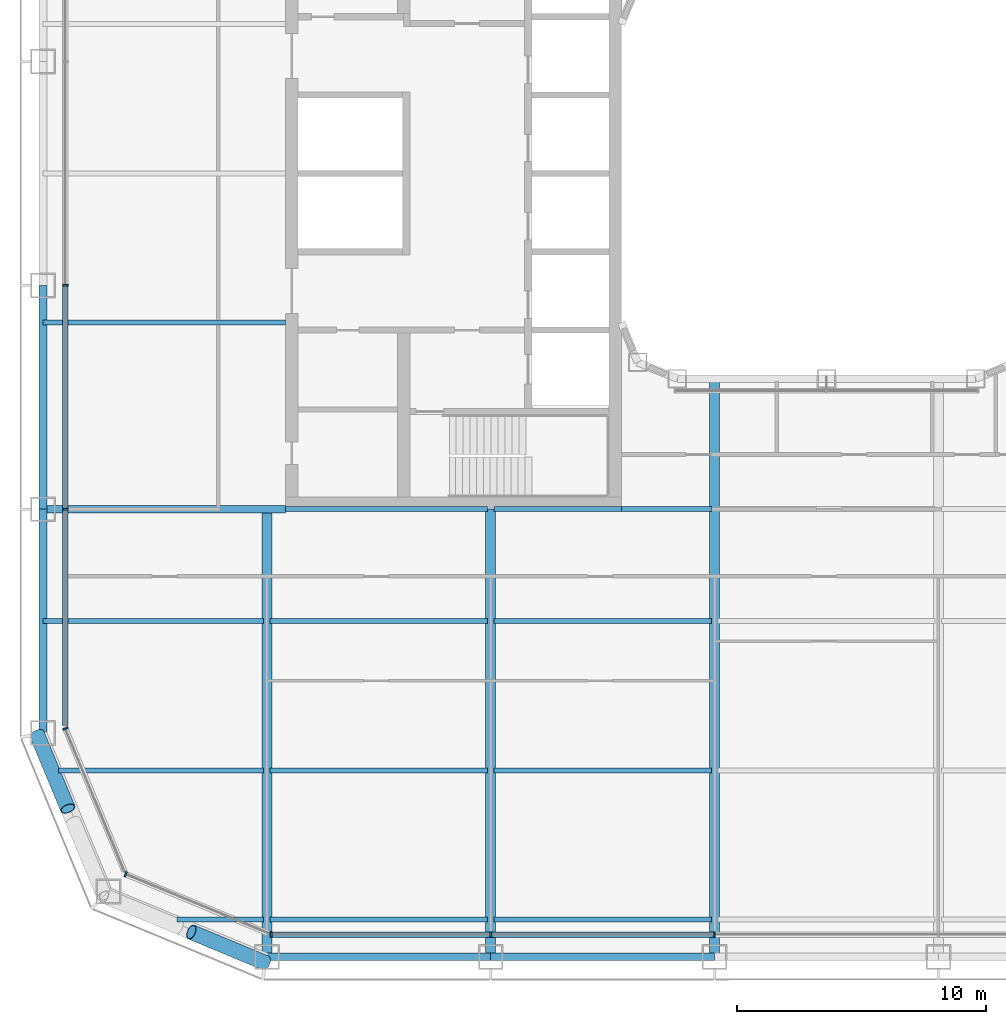
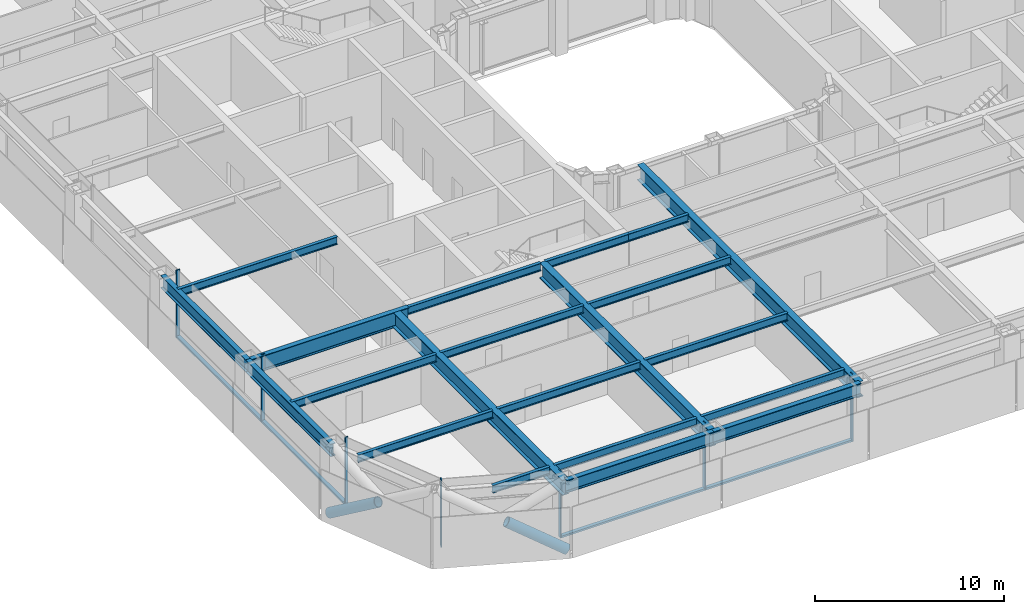
# One storey, part 2 of 24: 21 beams, 13 members, 4 elements without a shape of their own.
"""IFC4 building model written with IfcOpenShell, lengths in metres."""

import ifcopenshell
import ifcopenshell.guid

model = None  # the IFC model being written
_history = None  # IfcOwnerHistory: only IFC2X3 demands one
_inside = {}  # id of a spatial element -> (the spatial element, [elements in it])
_under = {}  # id of a project, library or spatial element -> (it, [spatial elements below it])
_declared = {}  # id of a project -> (the project, [libraries it declares])
_typed = {}  # id of a type object -> (the type object, [elements of that type])
_made_of = {}  # id of a material, layer set ... -> (it, [elements and type objects made of it])


def new_model(schema):
    """Start an empty IFC model of exactly this schema.

    Asked for "IFC4X3", IfcOpenShell would pick the latest addendum, in which some entities
    have other attributes; the version numbers below select the first issue.
    IFC2X3 requires an IfcOwnerHistory on every rooted entity: one is made here for all.
    """
    global model, _history
    if schema == "IFC4X3":
        model = ifcopenshell.file(schema_version=(4, 3, 0, 0))
    else:
        model = ifcopenshell.file(schema=schema)
    _inside.clear()
    _under.clear()
    _declared.clear()
    _typed.clear()
    _made_of.clear()
    _history = None
    if model.schema == "IFC2X3":
        org = make("IfcOrganization", Name="unknown")
        user = make(
            "IfcPersonAndOrganization",
            ThePerson=make("IfcPerson", FamilyName="unknown"),
            TheOrganization=org,
        )
        app = make(
            "IfcApplication",
            ApplicationDeveloper=org,
            Version="unknown",
            ApplicationFullName="unknown",
            ApplicationIdentifier="unknown",
        )
        _history = make(
            "IfcOwnerHistory",
            OwningUser=user,
            OwningApplication=app,
            ChangeAction="ADDED",
            CreationDate=0,
        )
    return model


def make(cls, **values):
    """One entity of the class cls with the attributes given. An attribute that is None is left unset."""
    return model.create_entity(
        cls, **{name: value for name, value in values.items() if value is not None}
    )


def rooted(cls, **values):
    """An entity with a GlobalId (a new one), such as an element, a storey or a relation."""
    return make(cls, GlobalId=ifcopenshell.guid.new(), OwnerHistory=_history, **values)


def si_unit(unit_type, name, prefix=None):
    """IfcSIUnit, for example si_unit("LENGTHUNIT", "METRE", prefix="MILLI")."""
    return make("IfcSIUnit", UnitType=unit_type, Prefix=prefix, Name=name)


def assignment(units):
    """IfcUnitAssignment: the units of a project."""
    return None if units is None else make("IfcUnitAssignment", Units=units)


def point(xyz):
    """IfcCartesianPoint."""
    return None if xyz is None else make("IfcCartesianPoint", Coordinates=xyz)


def direction(xyz):
    """IfcDirection."""
    return None if xyz is None else make("IfcDirection", DirectionRatios=xyz)


def frame(location, z_axis=None, x_axis=None):
    """IfcAxis2Placement3D, a coordinate frame: its origin and axes. An axis left out is left unset."""
    return make(
        "IfcAxis2Placement3D",
        Location=point(location),
        Axis=direction(z_axis),
        RefDirection=direction(x_axis),
    )


def frame_2d(location, x_axis=None):
    """IfcAxis2Placement2D, a coordinate frame in the plane: its origin and x axis."""
    return make(
        "IfcAxis2Placement2D", Location=point(location), RefDirection=direction(x_axis)
    )


def origin():
    """The frame at (0, 0, 0) with its axes left unset."""
    return frame((0.0, 0.0, 0.0))


def origin_2d():
    """The frame at (0, 0) in the plane with its x axis left unset."""
    return frame_2d((0.0, 0.0))


def place(relative_to, where):
    """IfcLocalPlacement: puts the frame where relative to a parent placement (None: the world)."""
    return make(
        "IfcLocalPlacement", PlacementRelTo=relative_to, RelativePlacement=where
    )


def context(
    kind, dimensions, precision=None, world=None, true_north=None, identifier=None
):
    """IfcGeometricRepresentationContext, for example the 3D "Model" context."""
    return make(
        "IfcGeometricRepresentationContext",
        ContextIdentifier=identifier,
        ContextType=kind,
        CoordinateSpaceDimension=dimensions,
        Precision=precision,
        WorldCoordinateSystem=world,
        TrueNorth=true_north,
    )


def subcontext(parent, identifier, kind, view, scale=None):
    """IfcGeometricRepresentationSubContext, for example "Body" below "Model"."""
    return make(
        "IfcGeometricRepresentationSubContext",
        ContextIdentifier=identifier,
        ContextType=kind,
        ParentContext=parent,
        TargetScale=scale,
        TargetView=view,
    )


def project(units=None, contexts=None):
    """IfcProject with its units and contexts."""
    return rooted(
        "IfcProject",
        Name="project",
        RepresentationContexts=contexts,
        UnitsInContext=assignment(units),
    )


def spatial(cls, under=None, at=None, **own):
    """A site, building, storey or space (cls), placed at a placement, below another one or the project."""
    s = rooted(cls, ObjectPlacement=at, **own)
    if under is not None:
        _under.setdefault(under.id(), (under, []))[1].append(s)
    return s


def profile(cls, at=None, kind="AREA", **sizes):
    """A parametric profile (cls). Its sizes go by their IFC names, for example OverallWidth=200.0."""
    return make(cls, ProfileType=kind, Position=at, **sizes)


def rectangle(**sizes):
    """IfcRectangleProfileDef."""
    return profile("IfcRectangleProfileDef", **sizes)


def hollow_circle(**sizes):
    """IfcCircleHollowProfileDef."""
    return profile("IfcCircleHollowProfileDef", **sizes)


def i_section(**sizes):
    """IfcIShapeProfileDef."""
    return profile("IfcIShapeProfileDef", **sizes)


def extrude(swept, where, along, depth):
    """IfcExtrudedAreaSolid: the profile swept, set in the frame where, extruded along a direction by depth."""
    return make(
        "IfcExtrudedAreaSolid",
        SweptArea=swept,
        Position=where,
        ExtrudedDirection=direction(along),
        Depth=depth,
    )


def shape(context_of_items, identifier, shape_type, items):
    """IfcShapeRepresentation: the items that make up one representation, for example the "Body"."""
    return make(
        "IfcShapeRepresentation",
        ContextOfItems=context_of_items,
        RepresentationIdentifier=identifier,
        RepresentationType=shape_type,
        Items=items,
    )


def material(Name=None, Category=None):
    """IfcMaterial."""
    return make("IfcMaterial", Name=Name, Category=Category)


def layer(
    of_material, thickness, ventilated=None, Name=None, Category=None, Priority=None
):
    """IfcMaterialLayer: one layer of a wall or slab, of a material (None: an air gap)."""
    return make(
        "IfcMaterialLayer",
        Material=of_material,
        LayerThickness=thickness,
        IsVentilated=ventilated,
        Name=Name,
        Category=Category,
        Priority=Priority,
    )


def layer_set(layers, Name=None):
    """IfcMaterialLayerSet."""
    return make("IfcMaterialLayerSet", MaterialLayers=layers, LayerSetName=Name)


def material_profile(
    of_material, cross_section, Name=None, Category=None, Priority=None
):
    """IfcMaterialProfile: a cross section and its material."""
    return make(
        "IfcMaterialProfile",
        Name=Name,
        Material=of_material,
        Profile=cross_section,
        Priority=Priority,
        Category=Category,
    )


def profile_set(profiles, Name=None, composite=None):
    """IfcMaterialProfileSet."""
    return make(
        "IfcMaterialProfileSet",
        Name=Name,
        MaterialProfiles=profiles,
        CompositeProfile=composite,
    )


def made_of(thing, what):
    """Note that an element or type object is made of a material, layer set ...; save() writes the relation."""
    if what is not None:
        _made_of.setdefault(what.id(), (what, []))[1].append(thing)
    return thing


def type_object(cls, material=None, **own):
    """A type object (cls), such as IfcWallType, which elements share."""
    return made_of(rooted(cls, **own), material)


def element(
    cls,
    number,
    at=None,
    inside=None,
    cuts=None,
    type_object=None,
    material=None,
    context=None,
    identifier="Body",
    shape_type=None,
    held_by="IfcProductDefinitionShape",
    body=None,
    shapes=None,
    **own,
):
    """One element of the class cls, such as IfcWall. Its Tag is "e" and its number.

    at: its placement. inside: the storey or other place that contains it. cuts: it is an
    opening in that element (IfcRelVoidsElement). A single representation is given by context,
    identifier, shape_type and body (its items); several are given by shapes. held_by: the class
    of the entity that holds the representations. save() writes the other relations.
    """
    e = rooted(cls, Tag="e%d" % number, ObjectPlacement=at, **own)
    if body is not None:
        shapes = [shape(context, identifier, shape_type, body)]
    if shapes is not None:
        e.Representation = make(held_by, Representations=shapes)
    if inside is not None:
        _inside.setdefault(inside.id(), (inside, []))[1].append(e)
    if cuts is not None:
        rooted(
            "IfcRelVoidsElement", RelatingBuildingElement=cuts, RelatedOpeningElement=e
        )
    if type_object is not None:
        _typed.setdefault(type_object.id(), (type_object, []))[1].append(e)
    return made_of(e, material)


def aggregate(whole, parts):
    """IfcRelAggregates: a whole, such as a stair, and the parts it consists of."""
    return rooted("IfcRelAggregates", RelatingObject=whole, RelatedObjects=parts)


def save(model, path):
    """Write the relations noted so far, then the file.

    IfcRelAggregates (storeys below a building ...), IfcRelContainedInSpatialStructure (elements
    in a storey), IfcRelDefinesByType, IfcRelAssociatesMaterial and IfcRelDeclares: one each for
    every whole, place, type object, material and project.
    """
    for whole, parts in _under.values():
        aggregate(whole, parts)
    for where, things in _inside.values():
        rooted(
            "IfcRelContainedInSpatialStructure",
            RelatedElements=things,
            RelatingStructure=where,
        )
    for kind, things in _typed.values():
        rooted("IfcRelDefinesByType", RelatedObjects=things, RelatingType=kind)
    for what, things in _made_of.values():
        rooted("IfcRelAssociatesMaterial", RelatedObjects=things, RelatingMaterial=what)
    for by, libraries in _declared.values():
        rooted("IfcRelDeclares", RelatingContext=by, RelatedDefinitions=libraries)
    model.write(path)


model = new_model("IFC4")

# Units and contexts
model_context = context("Model", 3, precision=1e-05, world=origin(), true_north=direction((0.0, 1.0)))
body_context = subcontext(model_context, "Body", "Model", "MODEL_VIEW")
ifc_project = project(units=[si_unit("LENGTHUNIT", "METRE"), si_unit("AREAUNIT", "SQUARE_METRE"), si_unit("VOLUMEUNIT", "CUBIC_METRE"), si_unit("PLANEANGLEUNIT", "RADIAN"), si_unit("MASSUNIT", "GRAM", prefix="KILO")], contexts=[model_context])

# Site, building, storey
site_placement = place(None, origin())
site = spatial("IfcSite", under=ifc_project, at=site_placement, CompositionType="ELEMENT")
building_placement = place(site_placement, origin())
building = spatial("IfcBuilding", under=site, at=building_placement, Name="Siwar Civic Tower", CompositionType="ELEMENT")
storey_placement = place(building_placement, frame((0.0, 0.0, 76.199951171875)))
storey = spatial("IfcBuildingStorey", under=building, at=storey_placement, Name="L16", CompositionType="ELEMENT", Elevation=76.199951171875)

# Curtain wall, members
ifc_material_1 = material(Name="Aluminium and glass", Category="aluminium")
ifc_layer_1 = layer(ifc_material_1, 0.219970703125)
ifc_layer_set_1 = layer_set([ifc_layer_1], Name="Aluminium and glass")
curtain_wall_type_1 = type_object("IfcCurtainWallType", Name="ENV-CW-A", PredefinedType="NOTDEFINED", material=ifc_layer_set_1)
curtain_wall_1_placement = place(storey_placement, origin())
curtain_wall_1 = element("IfcCurtainWall", 1, at=curtain_wall_1_placement, inside=storey, type_object=curtain_wall_type_1, Name="Curtain wall A S", PredefinedType="NOTDEFINED")
ifc_material_2 = material(Name="Aluminium 6063-T6", Category="aluminium")
ifc_material_profile_1 = material_profile(ifc_material_2, rectangle(XDim=0.219970703125, YDim=0.070068359375, at=origin_2d()), Name="AL 220x70")
ifc_profile_set_1 = profile_set([ifc_material_profile_1], Name="Aluminium 6063-T6")
member_type_1 = type_object("IfcMemberType", Name="ENV-MULLION-A", PredefinedType="MULLION", material=ifc_profile_set_1)
member_1_placement = place(storey_placement, frame((-22.321044921875, -30.60009765625, 0.0), z_axis=(0.0, 0.0, 1.0), x_axis=(0.0, 1.0, 0.0)))
member_1 = element("IfcMember", 2, at=member_1_placement, type_object=member_type_1, Name="Mullion A S 1", PredefinedType="MULLION", context=body_context, shape_type="SweptSolid", body=[
    extrude(rectangle(XDim=0.219970703125, YDim=0.070068359375, at=origin_2d()), origin(), (0.0, 0.0, 1.0), 4.35009765625),
])
member_2_placement = place(storey_placement, frame((-13.5, -30.60009765625, 0.0), z_axis=(0.0, 0.0, 1.0), x_axis=(0.0, 1.0, 0.0)))
member_2 = element("IfcMember", 3, at=member_2_placement, type_object=member_type_1, Name="Mullion A S 2", PredefinedType="MULLION", context=body_context, shape_type="SweptSolid", body=[
    extrude(rectangle(XDim=0.219970703125, YDim=0.070068359375, at=origin_2d()), origin(), (0.0, 0.0, 1.0), 4.35009765625),
])
member_3_placement = place(storey_placement, frame((-4.5, -30.60009765625, 0.0), z_axis=(0.0, 0.0, 1.0), x_axis=(0.0, 1.0, 0.0)))
member_3 = element("IfcMember", 4, at=member_3_placement, type_object=member_type_1, Name="Mullion A S 3", PredefinedType="MULLION", context=body_context, shape_type="SweptSolid", body=[
    extrude(rectangle(XDim=0.219970703125, YDim=0.070068359375, at=origin_2d()), origin(), (0.0, 0.0, 1.0), 4.35009765625),
])

curtain_wall_2_placement = place(storey_placement, origin())
curtain_wall_2 = element("IfcCurtainWall", 5, at=curtain_wall_2_placement, inside=storey, type_object=curtain_wall_type_1, Name="Curtain wall A W", PredefinedType="NOTDEFINED")
member_4_placement = place(storey_placement, frame((-30.60009765625, -4.5, 0.0), z_axis=(0.0, 0.0, 1.0), x_axis=(1.0, 0.0, 0.0)))
member_4 = element("IfcMember", 6, at=member_4_placement, type_object=member_type_1, Name="Mullion A W 4", PredefinedType="MULLION", context=body_context, shape_type="SweptSolid", body=[
    extrude(rectangle(XDim=0.219970703125, YDim=0.070068359375, at=origin_2d()), origin(), (0.0, 0.0, 1.0), 4.35009765625),
])
member_5_placement = place(storey_placement, frame((-30.60009765625, -13.5, 0.0), z_axis=(0.0, 0.0, 1.0), x_axis=(1.0, 0.0, 0.0)))
member_5 = element("IfcMember", 7, at=member_5_placement, type_object=member_type_1, Name="Mullion A W 5", PredefinedType="MULLION", context=body_context, shape_type="SweptSolid", body=[
    extrude(rectangle(XDim=0.219970703125, YDim=0.070068359375, at=origin_2d()), origin(), (0.0, 0.0, 1.0), 4.35009765625),
])

# Curtain wall, member
ifc_material_3 = material(Name="Aluminium clad insulated panel", Category="aluminium")
ifc_layer_2 = layer(ifc_material_3, 0.219970703125)
ifc_layer_set_2 = layer_set([ifc_layer_2], Name="Aluminium clad insulated panel")
curtain_wall_type_2 = type_object("IfcCurtainWallType", Name="ENV-CW-AX", PredefinedType="NOTDEFINED", material=ifc_layer_set_2)
curtain_wall_3_placement = place(storey_placement, origin())
curtain_wall_3 = element("IfcCurtainWall", 8, at=curtain_wall_3_placement, inside=storey, type_object=curtain_wall_type_2, Name="Curtain wall A SW1", PredefinedType="NOTDEFINED")
member_6_placement = place(storey_placement, frame((-30.60009765625, -22.321044921875, 0.0), z_axis=(0.0, 0.0, 1.0), x_axis=(0.923879532511, 0.382683432365, 0.0)))
member_6 = element("IfcMember", 9, at=member_6_placement, type_object=member_type_1, Name="Mullion A SW1 1", PredefinedType="MULLION", context=body_context, shape_type="SweptSolid", body=[
    extrude(rectangle(XDim=0.219970703125, YDim=0.070068359375, at=origin_2d()), origin(), (0.0, 0.0, 1.0), 4.35009765625),
])
aggregate(curtain_wall_3, [member_6])

curtain_wall_4_placement = place(storey_placement, origin())
curtain_wall_4 = element("IfcCurtainWall", 10, at=curtain_wall_4_placement, inside=storey, type_object=curtain_wall_type_2, Name="Curtain wall A SW2", PredefinedType="NOTDEFINED")
member_7_placement = place(storey_placement, frame((-28.175048828125, -28.175048828125, 0.0), z_axis=(0.0, 0.0, 1.0), x_axis=(0.382683432365, 0.923879532511, 0.0)))
member_7 = element("IfcMember", 11, at=member_7_placement, type_object=member_type_1, Name="Mullion A SW2 1", PredefinedType="MULLION", context=body_context, shape_type="SweptSolid", body=[
    extrude(rectangle(XDim=0.219970703125, YDim=0.070068359375, at=origin_2d()), origin(), (0.0, 0.0, 1.0), 4.35009765625),
])
aggregate(curtain_wall_4, [member_7])

# Member
ifc_material_4 = material(Name="Aluminium 6063-T6", Category="aluminium")
ifc_material_profile_2 = material_profile(ifc_material_4, rectangle(XDim=0.219970703125, YDim=0.1201171875, at=origin_2d()), Name="AL 220x120")
ifc_profile_set_2 = profile_set([ifc_material_profile_2], Name="Aluminium 6063-T6")
member_type_2 = type_object("IfcMemberType", Name="ENV-TRANSOM-A", PredefinedType="USERDEFINED", material=ifc_profile_set_2)
member_8_placement = place(storey_placement, frame((-22.285888671875, -30.60009765625, 0.06005859375), z_axis=(1.0, 0.0, 0.0), x_axis=(0.0, 1.0, 0.0)))
member_8 = element("IfcMember", 12, at=member_8_placement, type_object=member_type_2, Name="Transom A S 1", ObjectType="TRANSOM", PredefinedType="USERDEFINED", context=body_context, shape_type="SweptSolid", body=[
    extrude(rectangle(XDim=0.219970703125, YDim=0.1201171875, at=origin_2d()), origin(), (0.0, 0.0, 1.0), 8.7509765625),
])

member_9_placement = place(storey_placement, frame((-13.465087890625, -30.60009765625, 0.06005859375), z_axis=(1.0, 0.0, 0.0), x_axis=(0.0, 1.0, 0.0)))
member_9 = element("IfcMember", 13, at=member_9_placement, type_object=member_type_2, Name="Transom A S 2", ObjectType="TRANSOM", PredefinedType="USERDEFINED", context=body_context, shape_type="SweptSolid", body=[
    extrude(rectangle(XDim=0.219970703125, YDim=0.1201171875, at=origin_2d()), origin(), (0.0, 0.0, 1.0), 8.93017578125),
])

aggregate(curtain_wall_1, [member_1, member_2, member_3, member_8, member_9])

member_10_placement = place(storey_placement, frame((-30.60009765625, -4.534912109375, 0.06005859375), z_axis=(0.0, -1.0, 0.0), x_axis=(1.0, 0.0, 0.0)))
member_10 = element("IfcMember", 14, at=member_10_placement, type_object=member_type_2, Name="Transom A W 4", ObjectType="TRANSOM", PredefinedType="USERDEFINED", context=body_context, shape_type="SweptSolid", body=[
    extrude(rectangle(XDim=0.219970703125, YDim=0.1201171875, at=origin_2d()), origin(), (0.0, 0.0, 1.0), 8.93017578125),
])

member_11_placement = place(storey_placement, frame((-30.60009765625, -13.534912109375, 0.06005859375), z_axis=(0.0, -1.0, 0.0), x_axis=(1.0, 0.0, 0.0)))
member_11 = element("IfcMember", 15, at=member_11_placement, type_object=member_type_2, Name="Transom A W 5", ObjectType="TRANSOM", PredefinedType="USERDEFINED", context=body_context, shape_type="SweptSolid", body=[
    extrude(rectangle(XDim=0.219970703125, YDim=0.1201171875, at=origin_2d()), origin(), (0.0, 0.0, 1.0), 8.66357421875),
])

aggregate(curtain_wall_2, [member_4, member_5, member_10, member_11])

# Members
ifc_material_5 = material(Name="Steel S355", Category="steel")
ifc_material_profile_3 = material_profile(ifc_material_5, hollow_circle(Radius=0.304931640625, WallThickness=0.030029296875, at=origin_2d()), Name="CHS610x30")
ifc_profile_set_3 = profile_set([ifc_material_profile_3], Name="Steel S355")
member_type_3 = type_object("IfcMemberType", Name="STR-BR-CHS610x30", PredefinedType="BRACE", material=ifc_profile_set_3)
for number, where, z_axis, x_axis, name in (
    (16, (-22.548828125, -31.7451171875, 0.0), (-0.777533059308, 0.323882123145, 0.539020140617), (-0.384524353215, -0.923114847559, 0.0), "L16/brc/ASW1-15-0-2"),
    (17, (-31.7451171875, -22.548828125, 0.0), (0.323882123145, -0.777533059308, 0.539020140617), (0.923114847559, 0.384524353215, 0.0), "L16/brc/ASW1-15-0-4"),
):
    element("IfcMember", number, at=place(storey_placement, frame(where, z_axis=z_axis, x_axis=x_axis)), inside=storey, type_object=member_type_3, Name=name, PredefinedType="BRACE", context=body_context, shape_type="SweptSolid", body=[
        extrude(hollow_circle(Radius=0.304931640625, WallThickness=0.030029296875, at=origin_2d()), origin(), (0.0, 0.0, 1.0), 3.843505859375),
    ])

# Beams
ifc_material_6 = material(Name="Steel S355", Category="steel")
ifc_material_profile_4 = material_profile(ifc_material_6, i_section(OverallWidth=0.199951171875, OverallDepth=0.5, WebThickness=0.01025390625, FlangeThickness=0.01611328125, FilletRadius=0.02099609375, at=origin_2d()), Name="IPE500")
ifc_profile_set_4 = profile_set([ifc_material_profile_4], Name="Steel S355")
beam_type_1 = type_object("IfcBeamType", Name="STR-FB-IPE500", PredefinedType="JOIST", material=ifc_profile_set_4)
beam_1_placement = place(storey_placement, frame((-26.121337890625, -30.0, 4.10009765625), z_axis=(1.0, 0.0, 0.0), x_axis=(0.0, 1.0, 0.0)))
element("IfcBeam", 18, at=beam_1_placement, inside=storey, type_object=beam_type_1, Name="L16/bm/F001", PredefinedType="JOIST", context=body_context, shape_type="SweptSolid", body=[
    extrude(i_section(OverallWidth=0.199951171875, OverallDepth=0.5, WebThickness=0.01025390625, FlangeThickness=0.01611328125, FilletRadius=0.02099609375, at=origin_2d()), origin(), (0.0, 0.0, 1.0), 3.491455078125),
])
for number, where, z_axis, x_axis, name in (
    (19, (-22.3701171875, -30.0, 4.10009765625), (1.0, 0.0, 0.0), (0.0, 1.0, 0.0), "L16/bm/F002"),
    (20, (-13.3701171875, -30.0, 4.10009765625), (1.0, 0.0, 0.0), (0.0, 1.0, 0.0), "L16/bm/F003"),
):
    element("IfcBeam", number, at=place(storey_placement, frame(where, z_axis=z_axis, x_axis=x_axis)), inside=storey, type_object=beam_type_1, Name=name, PredefinedType="JOIST", context=body_context, shape_type="SweptSolid", body=[
        extrude(i_section(OverallWidth=0.199951171875, OverallDepth=0.5, WebThickness=0.01025390625, FlangeThickness=0.01611328125, FilletRadius=0.02099609375, at=origin_2d()), origin(), (0.0, 0.0, 1.0), 8.740234375),
    ])
beam_2_placement = place(storey_placement, frame((-30.878662109375, -24.0, 4.10009765625), z_axis=(1.0, 0.0, 0.0), x_axis=(0.0, 1.0, 0.0)))
element("IfcBeam", 21, at=beam_2_placement, inside=storey, type_object=beam_type_1, Name="L16/bm/F008", PredefinedType="JOIST", context=body_context, shape_type="SweptSolid", body=[
    extrude(i_section(OverallWidth=0.199951171875, OverallDepth=0.5, WebThickness=0.01025390625, FlangeThickness=0.01611328125, FilletRadius=0.02099609375, at=origin_2d()), origin(), (0.0, 0.0, 1.0), 8.248779296875),
])
for number, where, z_axis, x_axis, name in (
    (22, (-22.3701171875, -24.0, 4.10009765625), (1.0, 0.0, 0.0), (0.0, 1.0, 0.0), "L16/bm/F009"),
    (23, (-13.3701171875, -24.0, 4.10009765625), (1.0, 0.0, 0.0), (0.0, 1.0, 0.0), "L16/bm/F010"),
):
    element("IfcBeam", number, at=place(storey_placement, frame(where, z_axis=z_axis, x_axis=x_axis)), inside=storey, type_object=beam_type_1, Name=name, PredefinedType="JOIST", context=body_context, shape_type="SweptSolid", body=[
        extrude(i_section(OverallWidth=0.199951171875, OverallDepth=0.5, WebThickness=0.01025390625, FlangeThickness=0.01611328125, FilletRadius=0.02099609375, at=origin_2d()), origin(), (0.0, 0.0, 1.0), 8.740234375),
    ])
beam_3_placement = place(storey_placement, frame((-31.5, -18.0, 4.10009765625), z_axis=(1.0, 0.0, 0.0), x_axis=(0.0, 1.0, 0.0)))
element("IfcBeam", 24, at=beam_3_placement, inside=storey, type_object=beam_type_1, Name="L16/bm/F015", PredefinedType="JOIST", context=body_context, shape_type="SweptSolid", body=[
    extrude(i_section(OverallWidth=0.199951171875, OverallDepth=0.5, WebThickness=0.01025390625, FlangeThickness=0.01611328125, FilletRadius=0.02099609375, at=origin_2d()), origin(), (0.0, 0.0, 1.0), 8.8701171875),
])
for number, where, z_axis, x_axis, name in (
    (25, (-22.3701171875, -18.0, 4.10009765625), (1.0, 0.0, 0.0), (0.0, 1.0, 0.0), "L16/bm/F016"),
    (26, (-13.3701171875, -18.0, 4.10009765625), (1.0, 0.0, 0.0), (0.0, 1.0, 0.0), "L16/bm/F017"),
):
    element("IfcBeam", number, at=place(storey_placement, frame(where, z_axis=z_axis, x_axis=x_axis)), inside=storey, type_object=beam_type_1, Name=name, PredefinedType="JOIST", context=body_context, shape_type="SweptSolid", body=[
        extrude(i_section(OverallWidth=0.199951171875, OverallDepth=0.5, WebThickness=0.01025390625, FlangeThickness=0.01611328125, FilletRadius=0.02099609375, at=origin_2d()), origin(), (0.0, 0.0, 1.0), 8.740234375),
    ])
beam_4_placement = place(storey_placement, frame((-21.75, -13.5, 4.10009765625), z_axis=(1.0, 0.0, 0.0), x_axis=(0.0, 1.0, 0.0)))
element("IfcBeam", 27, at=beam_4_placement, inside=storey, type_object=beam_type_1, Name="L16/bm/F023", PredefinedType="JOIST", context=body_context, shape_type="SweptSolid", body=[
    extrude(i_section(OverallWidth=0.199951171875, OverallDepth=0.5, WebThickness=0.01025390625, FlangeThickness=0.01611328125, FilletRadius=0.02099609375, at=origin_2d()), origin(), (0.0, 0.0, 1.0), 8.1201171875),
])
beam_5_placement = place(storey_placement, frame((-13.3701171875, -13.5, 4.10009765625), z_axis=(1.0, 0.0, 0.0), x_axis=(0.0, 1.0, 0.0)))
element("IfcBeam", 28, at=beam_5_placement, inside=storey, type_object=beam_type_1, Name="L16/bm/F024", PredefinedType="JOIST", context=body_context, shape_type="SweptSolid", body=[
    extrude(i_section(OverallWidth=0.199951171875, OverallDepth=0.5, WebThickness=0.01025390625, FlangeThickness=0.01611328125, FilletRadius=0.02099609375, at=origin_2d()), origin(), (0.0, 0.0, 1.0), 5.1201171875),
])
beam_6_placement = place(storey_placement, frame((-8.25, -13.5, 4.10009765625), z_axis=(1.0, 0.0, 0.0), x_axis=(0.0, 1.0, 0.0)))
element("IfcBeam", 29, at=beam_6_placement, inside=storey, type_object=beam_type_1, Name="L16/bm/F025", PredefinedType="JOIST", context=body_context, shape_type="SweptSolid", body=[
    extrude(i_section(OverallWidth=0.199951171875, OverallDepth=0.5, WebThickness=0.01025390625, FlangeThickness=0.01611328125, FilletRadius=0.02099609375, at=origin_2d()), origin(), (0.0, 0.0, 1.0), 3.6201171875),
])
beam_7_placement = place(storey_placement, frame((-31.5, -6.0, 4.10009765625), z_axis=(1.0, 0.0, 0.0), x_axis=(0.0, 1.0, 0.0)))
element("IfcBeam", 30, at=beam_7_placement, inside=storey, type_object=beam_type_1, Name="L16/bm/F031", PredefinedType="JOIST", context=body_context, shape_type="SweptSolid", body=[
    extrude(i_section(OverallWidth=0.199951171875, OverallDepth=0.5, WebThickness=0.01025390625, FlangeThickness=0.01611328125, FilletRadius=0.02099609375, at=origin_2d()), origin(), (0.0, 0.0, 1.0), 9.75),
])
ifc_material_7 = material(Name="Steel S355", Category="steel")
ifc_material_profile_5 = material_profile(ifc_material_7, i_section(OverallWidth=0.300048828125, OverallDepth=1.0, WebThickness=0.01904296875, FlangeThickness=0.035888671875, FilletRadius=0.030029296875, at=origin_2d()), Name="HEB1000")
ifc_profile_set_5 = profile_set([ifc_material_profile_5], Name="Steel S355")
beam_type_2 = type_object("IfcBeamType", Name="STR-PG-HEB1000", PredefinedType="BEAM", material=ifc_profile_set_5)
beam_8_placement = place(storey_placement, frame((-31.5, -13.5, 3.85009765625), z_axis=(1.0, 0.0, 0.0), x_axis=(0.0, 1.0, 0.0)))
element("IfcBeam", 31, at=beam_8_placement, inside=storey, type_object=beam_type_2, Name="L16/bm/F022", PredefinedType="BEAM", context=body_context, shape_type="SweptSolid", body=[
    extrude(i_section(OverallWidth=0.300048828125, OverallDepth=1.0, WebThickness=0.01904296875, FlangeThickness=0.035888671875, FilletRadius=0.030029296875, at=origin_2d()), origin(), (0.0, 0.0, 1.0), 9.75),
])
ifc_material_8 = material(Name="Steel S355", Category="steel")
ifc_material_profile_6 = material_profile(ifc_material_8, i_section(OverallWidth=0.39990234375, OverallDepth=1.0, WebThickness=0.01611328125, FlangeThickness=0.0400390625, at=origin_2d()), Name="PG1000x400x16x40")
ifc_profile_set_6 = profile_set([ifc_material_profile_6], Name="Steel S355")
beam_type_3 = type_object("IfcBeamType", Name="STR-PG-PG1000x400x16x40", PredefinedType="BEAM", material=ifc_profile_set_6)
for number, where, z_axis, x_axis, name in (
    (32, (-22.5, -31.5, 3.85009765625), (0.0, 1.0, 0.0), (-1.0, 0.0, 0.0), "L16/bm/G01"),
    (33, (-13.5, -31.5, 3.85009765625), (0.0, 1.0, 0.0), (-1.0, 0.0, 0.0), "L16/bm/G03"),
):
    element("IfcBeam", number, at=place(storey_placement, frame(where, z_axis=z_axis, x_axis=x_axis)), inside=storey, type_object=beam_type_3, Name=name, PredefinedType="BEAM", context=body_context, shape_type="SweptSolid", body=[
        extrude(i_section(OverallWidth=0.39990234375, OverallDepth=1.0, WebThickness=0.01611328125, FlangeThickness=0.0400390625, at=origin_2d()), origin(), (0.0, 0.0, 1.0), 18.0),
    ])
beam_9_placement = place(storey_placement, frame((-4.5, -31.5, 3.85009765625), z_axis=(0.0, 1.0, 0.0), x_axis=(-1.0, 0.0, 0.0)))
element("IfcBeam", 34, at=beam_9_placement, inside=storey, type_object=beam_type_3, Name="L16/bm/G05", PredefinedType="BEAM", context=body_context, shape_type="SweptSolid", body=[
    extrude(i_section(OverallWidth=0.39990234375, OverallDepth=1.0, WebThickness=0.01611328125, FlangeThickness=0.0400390625, at=origin_2d()), origin(), (0.0, 0.0, 1.0), 23.25),
])
ifc_material_9 = material(Name="Steel S355", Category="steel")
ifc_material_profile_7 = material_profile(ifc_material_9, i_section(OverallWidth=0.302978515625, OverallDepth=0.81396484375, WebThickness=0.02099609375, FlangeThickness=0.0400390625, FilletRadius=0.030029296875, at=origin_2d()), Name="HEM800")
ifc_profile_set_7 = profile_set([ifc_material_profile_7], Name="Steel S355")
beam_type_4 = type_object("IfcBeamType", Name="STR-SB-HEM800", PredefinedType="BEAM", material=ifc_profile_set_7)
for number, where, z_axis, x_axis, name in (
    (35, (-22.5, -31.5, 3.943115234375), (1.0, 0.0, 0.0), (0.0, 1.0, 0.0), "L16/bm/SS-0"),
    (36, (-13.5, -31.5, 3.943115234375), (1.0, 0.0, 0.0), (0.0, 1.0, 0.0), "L16/bm/SS-1"),
    (37, (-31.5, -4.5, 3.943115234375), (0.0, -1.0, 0.0), (1.0, 0.0, 0.0), "L16/bm/SW-3"),
    (38, (-31.5, -13.5, 3.943115234375), (0.0, -1.0, 0.0), (1.0, 0.0, 0.0), "L16/bm/SW-4"),
):
    element("IfcBeam", number, at=place(storey_placement, frame(where, z_axis=z_axis, x_axis=x_axis)), inside=storey, type_object=beam_type_4, Name=name, PredefinedType="BEAM", context=body_context, shape_type="SweptSolid", body=[
        extrude(i_section(OverallWidth=0.302978515625, OverallDepth=0.81396484375, WebThickness=0.02099609375, FlangeThickness=0.0400390625, FilletRadius=0.030029296875, at=origin_2d()), origin(), (0.0, 0.0, 1.0), 9.0),
    ])

save(model, "model.ifc")
